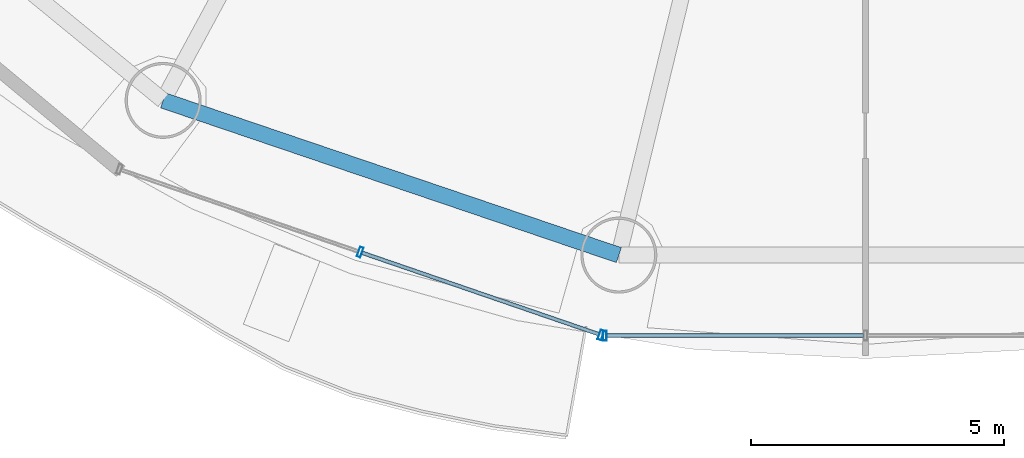
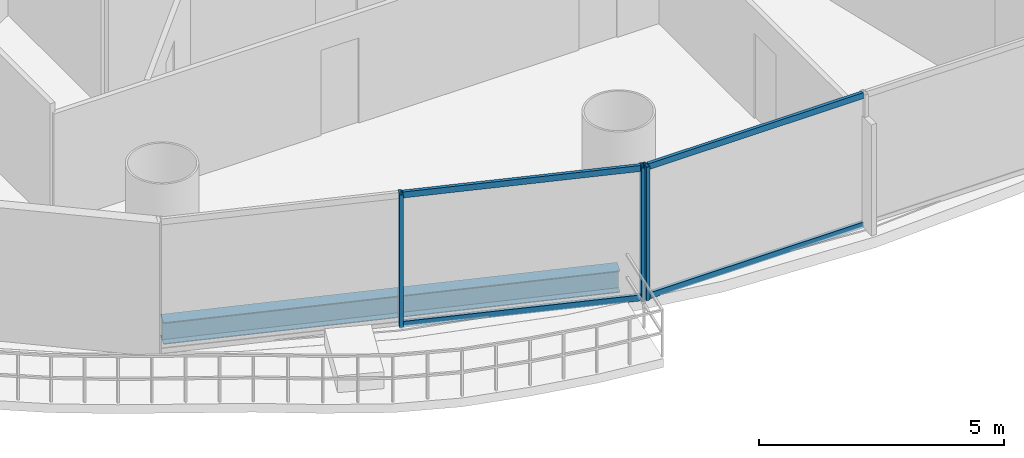
# One storey, part 4 of 29: 7 members, 1 beam, 2 elements without a shape of their own.
"""IFC4 building model written with IfcOpenShell, lengths in metres."""

from ifc_helpers import new_model, si_unit, direction, frame, origin, origin_2d, place, context, subcontext, project, spatial, hollow_rectangle, i_section, extrude, source, transform, mapped, material, material_profile, profile_set, type_object, element, aggregate, save


model = new_model("IFC4")

# Units and contexts
model_context = context("Model", 3, precision=1e-05, world=origin(), true_north=direction((-0.2419218956, 0.970295726276)))
body_context = subcontext(model_context, "Body", "Model", "MODEL_VIEW")
ifc_project = project(units=[si_unit("LENGTHUNIT", "METRE"), si_unit("AREAUNIT", "SQUARE_METRE"), si_unit("VOLUMEUNIT", "CUBIC_METRE"), si_unit("PLANEANGLEUNIT", "RADIAN"), si_unit("MASSUNIT", "GRAM", prefix="KILO")], contexts=[model_context])

# Site, building, storey
site_placement = place(None, origin())
site = spatial("IfcSite", under=ifc_project, at=site_placement, CompositionType="ELEMENT")
building_placement = place(site_placement, origin())
building = spatial("IfcBuilding", under=site, at=building_placement, Name="Cobrevalo Terracotta Tower", CompositionType="ELEMENT")
storey_placement = place(building_placement, frame((0.0, 0.0, 123.0)))
storey = spatial("IfcBuildingStorey", under=building, at=storey_placement, Name="L32", CompositionType="ELEMENT", Elevation=123.0)

# Beam
ifc_material_1 = material(Name="Steel S355", Category="steel")
ifc_material_profile_1 = material_profile(ifc_material_1, i_section(OverallWidth=0.31201171875, OverallDepth=0.54296875, WebThickness=0.0126953125, FlangeThickness=0.020263671875, at=origin_2d()), Name="W 530x150")
ifc_profile_set_1 = profile_set([ifc_material_profile_1], Name="Steel S355")
beam_type = type_object("IfcBeamType", Name="Structural Spandrel W 530x150 (Steel S355)", PredefinedType="SPANDREL", material=ifc_profile_set_1)
beam_placement = place(storey_placement, frame((24.138427734375, 9.79638671875, -0.54638671875), z_axis=(0.94691835344, -0.321474154356, 0.0), x_axis=(0.321474154356, 0.94691835344, 0.0)))
element("IfcBeam", 1, at=beam_placement, inside=storey, type_object=beam_type, Name="L32 perimeter ring spandrel 11", PredefinedType="SPANDREL", context=body_context, shape_type="SweptSolid", body=[
    extrude(i_section(OverallWidth=0.31201171875, OverallDepth=0.54296875, WebThickness=0.0126953125, FlangeThickness=0.020263671875, at=origin_2d()), origin(), (0.0, 0.0, 1.0), 9.498291015625),
])

# Curtain wall, members
ifc_material_2 = material(Name="Anodized aluminium", Category="aluminium")
curtain_wall_type = type_object("IfcCurtainWallType", Name="Lower-tower unitised acoustic low-E curtain wall CW-U1", PredefinedType="NOTDEFINED", material=ifc_material_2)
curtain_wall_1_placement = place(storey_placement, origin())
curtain_wall_1 = element("IfcCurtainWall", 2, at=curtain_wall_1_placement, inside=storey, type_object=curtain_wall_type, Name="L32 curtain wall CW-L32-S11", PredefinedType="NOTDEFINED")
ifc_material_profile_2 = material_profile(ifc_material_2, hollow_rectangle(XDim=0.074951171875, YDim=0.199951171875, WallThickness=0.0048828125, at=origin_2d()), Name="CWM 75x200")
ifc_profile_set_2 = profile_set([ifc_material_profile_2], Name="Anodized aluminium")
member_type_1 = type_object("IfcMemberType", Name="Lower/mid tower unitised mullion 75x200", PredefinedType="MULLION", material=ifc_profile_set_2)
shared_shape_1 = source(origin(), body_context, "Body", "SweptSolid", [
    extrude(hollow_rectangle(XDim=0.074951171875, YDim=0.199951171875, WallThickness=0.0048828125, at=origin_2d()), origin(), (0.0, 0.0, 1.0), 3.324951171875),
])
member_1_placement = place(storey_placement, frame((28.027587890625, 6.8017578125, 0.0), z_axis=(0.0, 0.0, 1.0), x_axis=(0.94559809868, -0.325337110968, 0.0)))
member_1 = element("IfcMember", 3, at=member_1_placement, type_object=member_type_1, Name="CW-L32-S11 vertical mullion 02", PredefinedType="MULLION", context=body_context, shape_type="MappedRepresentation", body=[
    mapped(shared_shape_1, transform((0.0, 0.0, 0.0), scale=1.0)),
])
member_2_placement = place(storey_placement, frame((32.778564453125, 5.1669921875, 0.0), z_axis=(0.0, 0.0, 1.0), x_axis=(0.94559809868, -0.325337110968, 0.0)))
member_2 = element("IfcMember", 4, at=member_2_placement, type_object=member_type_1, Name="CW-L32-S11 vertical mullion 03", PredefinedType="MULLION", context=body_context, shape_type="MappedRepresentation", body=[
    mapped(shared_shape_1, transform((0.0, 0.0, 0.0), scale=1.0)),
])

# Curtain wall, member
curtain_wall_2_placement = place(storey_placement, origin())
curtain_wall_2 = element("IfcCurtainWall", 5, at=curtain_wall_2_placement, inside=storey, type_object=curtain_wall_type, Name="L32 curtain wall CW-L32-S12", PredefinedType="NOTDEFINED")
member_3_placement = place(storey_placement, frame((32.8564453125, 5.154052734375, 0.0), z_axis=(0.0, 0.0, 1.0), x_axis=(1.0, 0.0, 0.0)))
member_3 = element("IfcMember", 6, at=member_3_placement, type_object=member_type_1, Name="CW-L32-S12 vertical mullion 01", PredefinedType="MULLION", context=body_context, shape_type="MappedRepresentation", body=[
    mapped(shared_shape_1, transform((0.0, 0.0, 0.0), scale=1.0)),
])

# Member
ifc_material_profile_3 = material_profile(ifc_material_2, hollow_rectangle(XDim=0.074951171875, YDim=0.14990234375, WallThickness=0.00439453125, at=origin_2d()), Name="CWT 75x150")
ifc_profile_set_3 = profile_set([ifc_material_profile_3], Name="Anodized aluminium")
member_type_2 = type_object("IfcMemberType", Name="Tower unitised aluminium transom 75x150", PredefinedType="USERDEFINED", material=ifc_profile_set_3)
shared_shape_2 = source(origin(), body_context, "Body", "SweptSolid", [
    extrude(hollow_rectangle(XDim=0.074951171875, YDim=0.14990234375, WallThickness=0.00439453125, at=origin_2d()), origin(), (0.0, 0.0, 1.0), 4.944580078125),
])
member_4_placement = place(storey_placement, frame((28.065185546875, 6.788818359375, 0.050048828125), z_axis=(0.945597859971, -0.32533780478, 0.0), x_axis=(0.32533780478, 0.945597859971, 0.0)))
member_4 = element("IfcMember", 7, at=member_4_placement, type_object=member_type_2, Name="CW-L32-S11 transom B02-T1", ObjectType="TRANSOM", PredefinedType="USERDEFINED", context=body_context, shape_type="MappedRepresentation", body=[
    mapped(shared_shape_2, transform((0.0, 0.0, 0.0), scale=1.0)),
])

member_5_placement = place(storey_placement, frame((28.065185546875, 6.788818359375, 3.27490234375), z_axis=(0.945597859971, -0.32533780478, 0.0), x_axis=(0.32533780478, 0.945597859971, 0.0)))
member_5 = element("IfcMember", 8, at=member_5_placement, type_object=member_type_2, Name="CW-L32-S11 transom B02-T2", ObjectType="TRANSOM", PredefinedType="USERDEFINED", context=body_context, shape_type="MappedRepresentation", body=[
    mapped(shared_shape_2, transform((0.0, 0.0, 0.0), scale=1.0)),
])

aggregate(curtain_wall_1, [member_1, member_2, member_4, member_5])

shared_shape_3 = source(origin(), body_context, "Body", "SweptSolid", [
    extrude(hollow_rectangle(XDim=0.074951171875, YDim=0.14990234375, WallThickness=0.00439453125, at=origin_2d()), origin(), (0.0, 0.0, 1.0), 5.0634765625),
])
member_6_placement = place(storey_placement, frame((32.896484375, 5.154052734375, 0.050048828125), z_axis=(1.0, 0.0, 0.0), x_axis=(0.0, 1.0, 0.0)))
member_6 = element("IfcMember", 9, at=member_6_placement, type_object=member_type_2, Name="CW-L32-S12 transom B01-T1", ObjectType="TRANSOM", PredefinedType="USERDEFINED", context=body_context, shape_type="MappedRepresentation", body=[
    mapped(shared_shape_3, transform((0.0, 0.0, 0.0), scale=1.0)),
])

member_7_placement = place(storey_placement, frame((32.896484375, 5.154052734375, 3.27490234375), z_axis=(1.0, 0.0, 0.0), x_axis=(0.0, 1.0, 0.0)))
member_7 = element("IfcMember", 10, at=member_7_placement, type_object=member_type_2, Name="CW-L32-S12 transom B01-T2", ObjectType="TRANSOM", PredefinedType="USERDEFINED", context=body_context, shape_type="MappedRepresentation", body=[
    mapped(shared_shape_3, transform((0.0, 0.0, 0.0), scale=1.0)),
])

aggregate(curtain_wall_2, [member_3, member_6, member_7])

save(model, "model.ifc")
